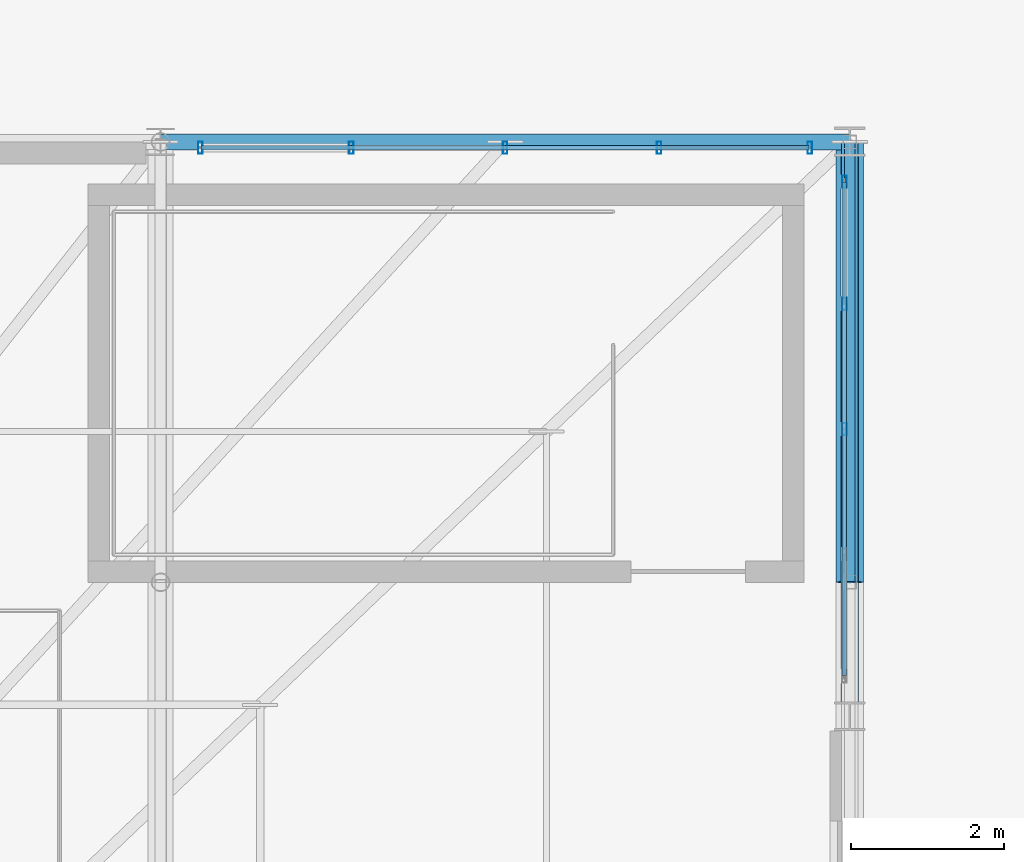
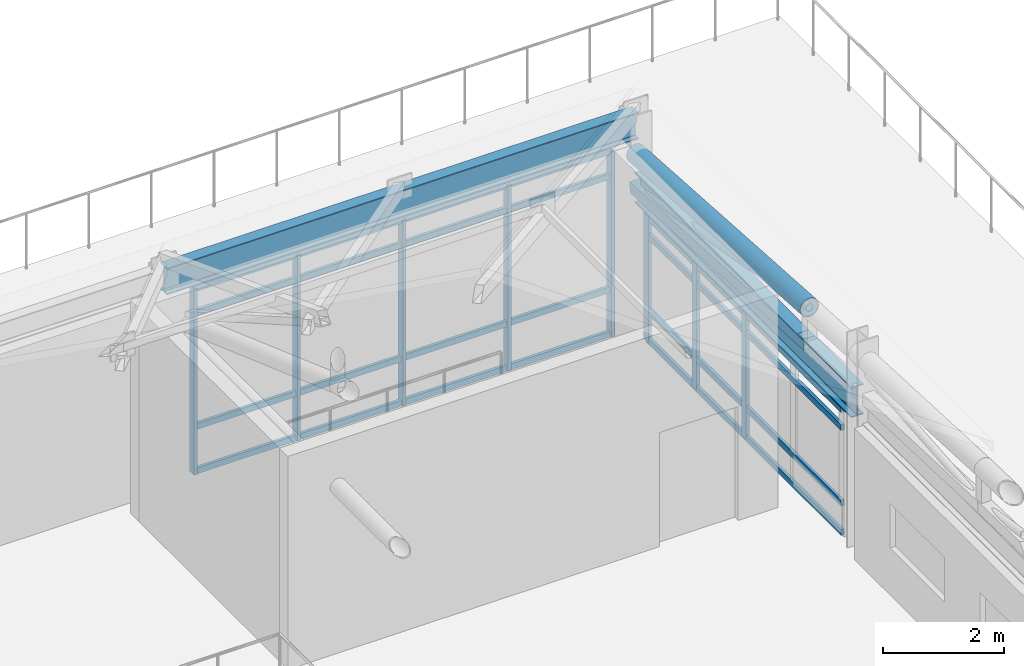
# One storey, part 68 of 168: 18 members, 3 beams, 2 elements without a shape of their own.
"""IFC4 building model written with IfcOpenShell, lengths in metres."""

from ifc_helpers import new_model, si_unit, direction, frame, origin, origin_2d, place, context, subcontext, project, spatial, hollow_rectangle, hollow_circle, i_section, extrude, material, material_profile, profile_set, type_object, element, aggregate, save


model = new_model("IFC4")

# Units and contexts
model_context = context("Model", 3, precision=1e-05, world=origin(), true_north=direction((0.0, 1.0)))
body_context = subcontext(model_context, "Body", "Model", "MODEL_VIEW")
ifc_project = project(units=[si_unit("LENGTHUNIT", "METRE"), si_unit("AREAUNIT", "SQUARE_METRE"), si_unit("VOLUMEUNIT", "CUBIC_METRE"), si_unit("PLANEANGLEUNIT", "RADIAN"), si_unit("MASSUNIT", "GRAM", prefix="KILO"), si_unit("THERMODYNAMICTEMPERATUREUNIT", "KELVIN"), si_unit("POWERUNIT", "WATT")], contexts=[model_context])

# Site, building, storey
site_placement = place(None, origin())
site = spatial("IfcSite", under=ifc_project, at=site_placement, CompositionType="ELEMENT")
building_placement = place(site_placement, origin())
building = spatial("IfcBuilding", under=site, at=building_placement, Name="Tepalcoro Natatorium and Aquatics Centre", CompositionType="ELEMENT")
storey_placement = place(building_placement, frame((0.0, 0.0, 10.199951171875)))
storey = spatial("IfcBuildingStorey", under=building, at=storey_placement, Name="L02", CompositionType="ELEMENT", Elevation=10.199951171875)

# Beam
ifc_material_1 = material(Name="Terracotta Painted Hollow Steel ASTM A500 Grade C (Fy 345 MPa)", Category="masonry")
ifc_material_profile_1 = material_profile(ifc_material_1, hollow_circle(Radius=0.177978515625, WallThickness=0.01611328125, at=origin_2d()), Name="CHS356X16")
ifc_profile_set_1 = profile_set([ifc_material_profile_1], Name="Terracotta Painted Hollow Steel ASTM A500 Grade C (Fy 345 MPa)")
beam_type_1 = type_object("IfcBeamType", Name="AC_CHS356x16", PredefinedType="USERDEFINED", material=ifc_profile_set_1)
beam_1_placement = place(storey_placement, frame((125.0, 53.25, 3.822021484375), z_axis=(0.0, 0.997912996707, -0.064572834875), x_axis=(-1.0, 0.0, 0.0)))
element("IfcBeam", 1, at=beam_1_placement, inside=storey, type_object=beam_type_1, Name="V1 Gable Arched Truss Top Chord 9", ObjectType="ARCH CHORD", PredefinedType="USERDEFINED", context=body_context, shape_type="SweptSolid", body=[
    extrude(hollow_circle(Radius=0.177978515625, WallThickness=0.01611328125, at=origin_2d()), origin(), (0.0, 0.0, 1.0), 5.761962890625),
])

# Curtain wall, members
ifc_material_2 = material(Name="Bronze-Anodised Extruded Aluminium Alloy EN AW-6063 T6", Category="aluminium")
curtain_wall_type_1 = type_object("IfcCurtainWallType", Name="CW_V4_VILLAGE", PredefinedType="USERDEFINED", material=ifc_material_2)
curtain_wall_1_placement = place(storey_placement, origin())
curtain_wall_1 = element("IfcCurtainWall", 2, at=curtain_wall_1_placement, inside=storey, type_object=curtain_wall_type_1, Name="V1 L02 N Unitised Curtain Wall Bay 8", ObjectType="UNITISED STOREFRONT", PredefinedType="USERDEFINED")
ifc_material_profile_2 = material_profile(ifc_material_2, hollow_rectangle(XDim=0.06005859375, YDim=0.159912109375, WallThickness=0.00390625, at=origin_2d()), Name="AL60X160X4")
ifc_profile_set_2 = profile_set([ifc_material_profile_2], Name="Bronze-Anodised Extruded Aluminium Alloy EN AW-6063 T6")
member_type_1 = type_object("IfcMemberType", Name="CW_MUL_60x160", PredefinedType="MULLION", material=ifc_profile_set_2)
member_1_placement = place(storey_placement, frame((116.52001953125, 58.923828125, 0.02001953125), z_axis=(0.0, 0.0, 1.0), x_axis=(1.0, 0.0, 0.0)))
member_1 = element("IfcMember", 3, at=member_1_placement, type_object=member_type_1, Name="CW_V4_VILLAGE Curtain Wall Mullion", PredefinedType="MULLION", context=body_context, shape_type="SweptSolid", body=[
    extrude(hollow_rectangle(XDim=0.06005859375, YDim=0.159912109375, WallThickness=0.00390625, at=origin_2d()), origin(), (0.0, 0.0, 1.0), 3.744140625),
])
member_2_placement = place(storey_placement, frame((118.489990234375, 58.923828125, 0.02001953125), z_axis=(0.0, 0.0, 1.0), x_axis=(1.0, 0.0, 0.0)))
member_2 = element("IfcMember", 4, at=member_2_placement, type_object=member_type_1, Name="CW_V4_VILLAGE Curtain Wall Mullion", PredefinedType="MULLION", context=body_context, shape_type="SweptSolid", body=[
    extrude(hollow_rectangle(XDim=0.06005859375, YDim=0.159912109375, WallThickness=0.00390625, at=origin_2d()), origin(), (0.0, 0.0, 1.0), 3.744140625),
])
member_3_placement = place(storey_placement, frame((120.5, 58.923828125, 0.02001953125), z_axis=(0.0, 0.0, 1.0), x_axis=(1.0, 0.0, 0.0)))
member_3 = element("IfcMember", 5, at=member_3_placement, type_object=member_type_1, Name="CW_V4_VILLAGE Curtain Wall Mullion", PredefinedType="MULLION", context=body_context, shape_type="SweptSolid", body=[
    extrude(hollow_rectangle(XDim=0.06005859375, YDim=0.159912109375, WallThickness=0.00390625, at=origin_2d()), origin(), (0.0, 0.0, 1.0), 3.744140625),
])
member_4_placement = place(storey_placement, frame((122.510009765625, 58.923828125, 0.02001953125), z_axis=(0.0, 0.0, 1.0), x_axis=(1.0, 0.0, 0.0)))
member_4 = element("IfcMember", 6, at=member_4_placement, type_object=member_type_1, Name="CW_V4_VILLAGE Curtain Wall Mullion", PredefinedType="MULLION", context=body_context, shape_type="SweptSolid", body=[
    extrude(hollow_rectangle(XDim=0.06005859375, YDim=0.159912109375, WallThickness=0.00390625, at=origin_2d()), origin(), (0.0, 0.0, 1.0), 3.744140625),
])
member_5_placement = place(storey_placement, frame((124.47998046875, 58.923828125, 0.02001953125), z_axis=(0.0, 0.0, 1.0), x_axis=(1.0, 0.0, 0.0)))
member_5 = element("IfcMember", 7, at=member_5_placement, type_object=member_type_1, Name="CW_V4_VILLAGE Curtain Wall Mullion", PredefinedType="MULLION", context=body_context, shape_type="SweptSolid", body=[
    extrude(hollow_rectangle(XDim=0.06005859375, YDim=0.159912109375, WallThickness=0.00390625, at=origin_2d()), origin(), (0.0, 0.0, 1.0), 3.744140625),
])

curtain_wall_type_2 = type_object("IfcCurtainWallType", Name="CW_V3_FOYER", PredefinedType="USERDEFINED", material=ifc_material_2)
curtain_wall_2_placement = place(storey_placement, origin())
curtain_wall_2 = element("IfcCurtainWall", 8, at=curtain_wall_2_placement, inside=storey, type_object=curtain_wall_type_2, Name="V1 L02 E Unitised Curtain Wall Bay 6", ObjectType="UNITISED STOREFRONT", PredefinedType="USERDEFINED")
member_6_placement = place(storey_placement, frame((124.9287109375, 55.25, 0.02001953125), z_axis=(0.0, 0.0, 1.0), x_axis=(1.0, 0.0, 0.0)))
member_6 = element("IfcMember", 9, at=member_6_placement, type_object=member_type_1, Name="CW_V3_FOYER Curtain Wall Mullion", PredefinedType="MULLION", context=body_context, shape_type="SweptSolid", body=[
    extrude(hollow_rectangle(XDim=0.06005859375, YDim=0.159912109375, WallThickness=0.00390625, at=origin_2d()), origin(), (0.0, 0.0, 1.0), 2.5380859375),
])
member_7_placement = place(storey_placement, frame((124.9287109375, 56.885009765625, 0.02001953125), z_axis=(0.0, 0.0, 1.0), x_axis=(1.0, 0.0, 0.0)))
member_7 = element("IfcMember", 10, at=member_7_placement, type_object=member_type_1, Name="CW_V3_FOYER Curtain Wall Mullion", PredefinedType="MULLION", context=body_context, shape_type="SweptSolid", body=[
    extrude(hollow_rectangle(XDim=0.06005859375, YDim=0.159912109375, WallThickness=0.00390625, at=origin_2d()), origin(), (0.0, 0.0, 1.0), 2.5380859375),
])
member_8_placement = place(storey_placement, frame((124.9287109375, 58.47998046875, 0.02001953125), z_axis=(0.0, 0.0, 1.0), x_axis=(1.0, 0.0, 0.0)))
member_8 = element("IfcMember", 11, at=member_8_placement, type_object=member_type_1, Name="CW_V3_FOYER Curtain Wall Mullion", PredefinedType="MULLION", context=body_context, shape_type="SweptSolid", body=[
    extrude(hollow_rectangle(XDim=0.06005859375, YDim=0.159912109375, WallThickness=0.00390625, at=origin_2d()), origin(), (0.0, 0.0, 1.0), 2.5380859375),
])

# Member
ifc_material_profile_3 = material_profile(ifc_material_2, hollow_rectangle(XDim=0.06005859375, YDim=0.1201171875, WallThickness=0.00390625, at=origin_2d()), Name="AL60X120X4")
ifc_profile_set_3 = profile_set([ifc_material_profile_3], Name="Bronze-Anodised Extruded Aluminium Alloy EN AW-6063 T6")
member_type_2 = type_object("IfcMemberType", Name="CW_TRN_60x120", PredefinedType="USERDEFINED", material=ifc_profile_set_3)
member_9_placement = place(storey_placement, frame((116.530029296875, 58.923828125, 0.050048828125), z_axis=(1.0, 0.0, 0.0), x_axis=(0.0, 1.0, 0.0)))
member_9 = element("IfcMember", 12, at=member_9_placement, type_object=member_type_2, Name="CW_V4_VILLAGE Curtain Wall Transom", ObjectType="TRANSOM", PredefinedType="USERDEFINED", context=body_context, shape_type="SweptSolid", body=[
    extrude(hollow_rectangle(XDim=0.06005859375, YDim=0.1201171875, WallThickness=0.00390625, at=origin_2d()), origin(), (0.0, 0.0, 1.0), 7.93994140625),
])

member_10_placement = place(storey_placement, frame((116.530029296875, 58.923828125, 0.946044921875), z_axis=(1.0, 0.0, 0.0), x_axis=(0.0, 1.0, 0.0)))
member_10 = element("IfcMember", 13, at=member_10_placement, type_object=member_type_2, Name="CW_V4_VILLAGE Curtain Wall Transom", ObjectType="TRANSOM", PredefinedType="USERDEFINED", context=body_context, shape_type="SweptSolid", body=[
    extrude(hollow_rectangle(XDim=0.06005859375, YDim=0.1201171875, WallThickness=0.00390625, at=origin_2d()), origin(), (0.0, 0.0, 1.0), 7.93994140625),
])

member_11_placement = place(storey_placement, frame((116.530029296875, 58.923828125, 3.234130859375), z_axis=(1.0, 0.0, 0.0), x_axis=(0.0, 1.0, 0.0)))
member_11 = element("IfcMember", 14, at=member_11_placement, type_object=member_type_2, Name="CW_V4_VILLAGE Curtain Wall Transom", ObjectType="TRANSOM", PredefinedType="USERDEFINED", context=body_context, shape_type="SweptSolid", body=[
    extrude(hollow_rectangle(XDim=0.06005859375, YDim=0.1201171875, WallThickness=0.00390625, at=origin_2d()), origin(), (0.0, 0.0, 1.0), 7.93994140625),
])

member_12_placement = place(storey_placement, frame((116.530029296875, 58.923828125, 3.734130859375), z_axis=(1.0, 0.0, 0.0), x_axis=(0.0, 1.0, 0.0)))
member_12 = element("IfcMember", 15, at=member_12_placement, type_object=member_type_2, Name="CW_V4_VILLAGE Curtain Wall Transom", ObjectType="TRANSOM", PredefinedType="USERDEFINED", context=body_context, shape_type="SweptSolid", body=[
    extrude(hollow_rectangle(XDim=0.06005859375, YDim=0.1201171875, WallThickness=0.00390625, at=origin_2d()), origin(), (0.0, 0.0, 1.0), 7.93994140625),
])

aggregate(curtain_wall_1, [member_1, member_2, member_3, member_4, member_5, member_9, member_10, member_11, member_12])

member_13_placement = place(storey_placement, frame((124.9287109375, 52.030029296875, 0.050048828125), z_axis=(0.0, 1.0, 0.0), x_axis=(-1.0, 0.0, 0.0)))
member_13 = element("IfcMember", 16, at=member_13_placement, type_object=member_type_2, Name="CW_V3_FOYER Curtain Wall Transom", ObjectType="TRANSOM", PredefinedType="USERDEFINED", context=body_context, shape_type="SweptSolid", body=[
    extrude(hollow_rectangle(XDim=0.06005859375, YDim=0.1201171875, WallThickness=0.00390625, at=origin_2d()), origin(), (0.0, 0.0, 1.0), 6.43994140625),
])

member_14_placement = place(storey_placement, frame((124.9287109375, 52.030029296875, 0.64453125), z_axis=(0.0, 1.0, 0.0), x_axis=(-1.0, 0.0, 0.0)))
member_14 = element("IfcMember", 17, at=member_14_placement, type_object=member_type_2, Name="CW_V3_FOYER Curtain Wall Transom", ObjectType="TRANSOM", PredefinedType="USERDEFINED", context=body_context, shape_type="SweptSolid", body=[
    extrude(hollow_rectangle(XDim=0.06005859375, YDim=0.1201171875, WallThickness=0.00390625, at=origin_2d()), origin(), (0.0, 0.0, 1.0), 6.43994140625),
])

member_15_placement = place(storey_placement, frame((124.9287109375, 52.030029296875, 2.16552734375), z_axis=(0.0, 1.0, 0.0), x_axis=(-1.0, 0.0, 0.0)))
member_15 = element("IfcMember", 18, at=member_15_placement, type_object=member_type_2, Name="CW_V3_FOYER Curtain Wall Transom", ObjectType="TRANSOM", PredefinedType="USERDEFINED", context=body_context, shape_type="SweptSolid", body=[
    extrude(hollow_rectangle(XDim=0.06005859375, YDim=0.1201171875, WallThickness=0.00390625, at=origin_2d()), origin(), (0.0, 0.0, 1.0), 6.43994140625),
])

member_16_placement = place(storey_placement, frame((124.9287109375, 52.030029296875, 2.528076171875), z_axis=(0.0, 1.0, 0.0), x_axis=(-1.0, 0.0, 0.0)))
member_16 = element("IfcMember", 19, at=member_16_placement, type_object=member_type_2, Name="CW_V3_FOYER Curtain Wall Transom", ObjectType="TRANSOM", PredefinedType="USERDEFINED", context=body_context, shape_type="SweptSolid", body=[
    extrude(hollow_rectangle(XDim=0.06005859375, YDim=0.1201171875, WallThickness=0.00390625, at=origin_2d()), origin(), (0.0, 0.0, 1.0), 6.43994140625),
])

aggregate(curtain_wall_2, [member_6, member_7, member_8, member_13, member_14, member_15, member_16])

# Members
ifc_material_profile_4 = material_profile(ifc_material_1, hollow_rectangle(XDim=0.219970703125, YDim=0.219970703125, WallThickness=0.011962890625, at=origin_2d()), Name="HSS220X220X12")
ifc_profile_set_4 = profile_set([ifc_material_profile_4], Name="Terracotta Painted Hollow Steel ASTM A500 Grade C (Fy 345 MPa)")
member_type_3 = type_object("IfcMemberType", Name="MB_CH_HSS220x220x12", PredefinedType="CHORD", material=ifc_profile_set_4)
member_17_placement = place(storey_placement, frame((125.0, 53.25, 3.106201171875), z_axis=(0.0, 0.998585550978, -0.053168575107), x_axis=(-1.0, 0.0, 0.0)))
element("IfcMember", 20, at=member_17_placement, inside=storey, type_object=member_type_3, Name="V1 Gable Arched Truss Bottom Chord 9", PredefinedType="CHORD", context=body_context, shape_type="SweptSolid", body=[
    extrude(hollow_rectangle(XDim=0.219970703125, YDim=0.219970703125, WallThickness=0.011962890625, at=origin_2d()), origin(), (0.0, 0.0, 1.0), 5.758056640625),
])
ifc_material_profile_5 = material_profile(ifc_material_1, hollow_circle(Radius=0.070068359375, WallThickness=0.008056640625, at=origin_2d()), Name="CHS140X8")
ifc_profile_set_5 = profile_set([ifc_material_profile_5], Name="Terracotta Painted Hollow Steel ASTM A500 Grade C (Fy 345 MPa)")
member_type_4 = type_object("IfcMemberType", Name="MB_ST_CHS140x8", PredefinedType="STRUT", material=ifc_profile_set_5)
member_18_placement = place(storey_placement, frame((125.0, 53.25, 3.822021484375), z_axis=(0.0, 0.984569871158, -0.174991910694), x_axis=(-1.0, 0.0, 0.0)))
element("IfcMember", 21, at=member_18_placement, inside=storey, type_object=member_type_4, Name="V1 Arched Truss Web Diagonal 9", PredefinedType="STRUT", context=body_context, shape_type="SweptSolid", body=[
    extrude(hollow_circle(Radius=0.070068359375, WallThickness=0.008056640625, at=origin_2d()), origin(), (0.0, 0.0, 1.0), 5.840087890625),
])

# Beams
ifc_material_3 = material(Name="Steel ASTM A992 Grade 50 (Fy 345 MPa)", Category="steel")
ifc_material_profile_6 = material_profile(ifc_material_3, i_section(OverallWidth=0.2099609375, OverallDepth=0.535888671875, WebThickness=0.010986328125, FlangeThickness=0.01708984375, FilletRadius=0.013916015625, at=origin_2d()), Name="W21X68")
ifc_profile_set_6 = profile_set([ifc_material_profile_6], Name="Steel ASTM A992 Grade 50 (Fy 345 MPa)")
beam_type_2 = type_object("IfcBeamType", Name="SP_W21x68", PredefinedType="SPANDREL", material=ifc_profile_set_6)
beam_2_placement = place(storey_placement, frame((116.0, 59.0, 4.067138671875), z_axis=(1.0, 0.0, 0.0), x_axis=(0.0, 1.0, 0.0)))
element("IfcBeam", 22, at=beam_2_placement, inside=storey, type_object=beam_type_2, Name="V1 L02 Grid Girder X", PredefinedType="SPANDREL", context=body_context, shape_type="SweptSolid", body=[
    extrude(i_section(OverallWidth=0.2099609375, OverallDepth=0.535888671875, WebThickness=0.010986328125, FlangeThickness=0.01708984375, FilletRadius=0.013916015625, at=origin_2d()), origin(), (0.0, 0.0, 1.0), 9.0),
])
ifc_material_profile_7 = material_profile(ifc_material_3, i_section(OverallWidth=0.22900390625, OverallDepth=0.612060546875, WebThickness=0.011962890625, FlangeThickness=0.02001953125, FilletRadius=0.013916015625, at=origin_2d()), Name="W24X84")
ifc_profile_set_7 = profile_set([ifc_material_profile_7], Name="Steel ASTM A992 Grade 50 (Fy 345 MPa)")
beam_type_3 = type_object("IfcBeamType", Name="SP_W24x84", PredefinedType="SPANDREL", material=ifc_profile_set_7)
beam_3_placement = place(storey_placement, frame((125.0, 51.6669921875, 2.899169921875), z_axis=(0.0, 1.0, 0.0), x_axis=(-1.0, 0.0, 0.0)))
element("IfcBeam", 23, at=beam_3_placement, inside=storey, type_object=beam_type_3, Name="V1 L02 Grid Girder Y", PredefinedType="SPANDREL", context=body_context, shape_type="SweptSolid", body=[
    extrude(i_section(OverallWidth=0.22900390625, OverallDepth=0.612060546875, WebThickness=0.011962890625, FlangeThickness=0.02001953125, FilletRadius=0.013916015625, at=origin_2d()), origin(), (0.0, 0.0, 1.0), 7.160888671875),
])

save(model, "model.ifc")
